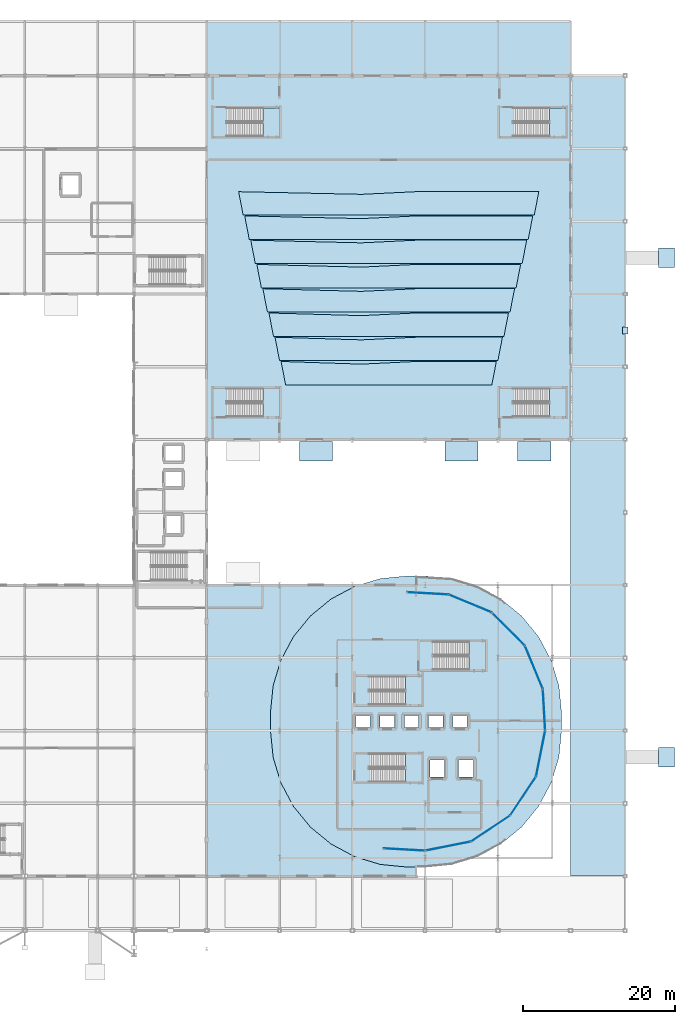
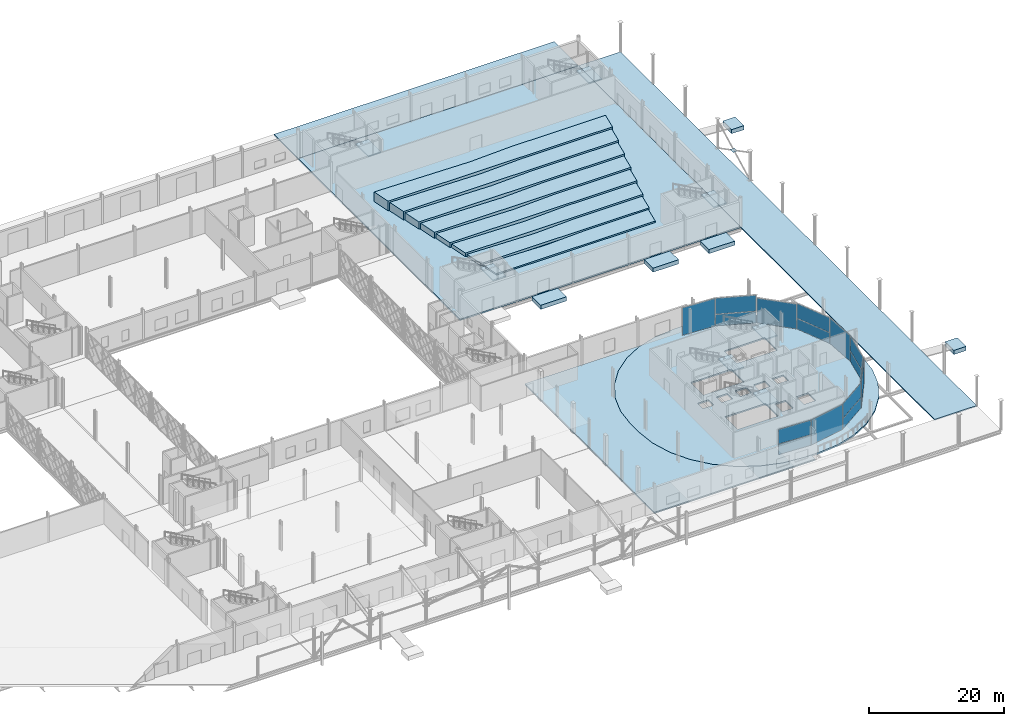
# One storey, part 47 of 84: 25 slabs, 16 plates, 17 elements without a shape of their own.
"""IFC4 building model written with IfcOpenShell, lengths in metres."""

from ifc_helpers import new_model, si_unit, direction, frame, origin, origin_2d, place, context, subcontext, project, spatial, polyline, rectangle, outline, extrude, material, layer, layer_set, type_object, element, aggregate, save


model = new_model("IFC4")

# Units and contexts
model_context = context("Model", 3, precision=1e-05, world=origin(), true_north=direction((0.0, 1.0)))
body_context = subcontext(model_context, "Body", "Model", "MODEL_VIEW")
ifc_project = project(units=[si_unit("LENGTHUNIT", "METRE"), si_unit("AREAUNIT", "SQUARE_METRE"), si_unit("VOLUMEUNIT", "CUBIC_METRE"), si_unit("PLANEANGLEUNIT", "RADIAN"), si_unit("MASSUNIT", "GRAM", prefix="KILO")], contexts=[model_context])

# Site, building, storey
site_placement = place(None, origin())
site = spatial("IfcSite", under=ifc_project, at=site_placement, CompositionType="ELEMENT")
building_placement = place(site_placement, origin())
building = spatial("IfcBuilding", under=site, at=building_placement, Name="Zevrakil Square Congress Hotel", CompositionType="ELEMENT")
storey_placement = place(building_placement, origin())
storey = spatial("IfcBuildingStorey", under=building, at=storey_placement, Name="L01", CompositionType="ELEMENT", Elevation=0.0)

# Curtain wall, plate
ifc_material_1 = material(Name="Aluminium Anodised Bronze", Category="aluminium")
ifc_layer_1 = layer(ifc_material_1, 0.179931640625)
ifc_layer_set_1 = layer_set([ifc_layer_1], Name="Aluminium Anodised Bronze")
curtain_wall_type_1 = type_object("IfcCurtainWallType", Name="CW-L01-640", PredefinedType="USERDEFINED", material=ifc_layer_set_1)
curtain_wall_1_placement = place(storey_placement, origin())
curtain_wall_1 = element("IfcCurtainWall", 1, at=curtain_wall_1_placement, inside=storey, type_object=curtain_wall_type_1, Name="L01 diamond curtain wall CW-L01-0144", ObjectType="GLAZED CURTAIN WALL", PredefinedType="USERDEFINED")
ifc_material_2 = material(Name="Acoustic Laminated Low-E Glazing", Category="glass")
ifc_layer_2 = layer(ifc_material_2, 0.031982421875)
ifc_layer_set_2 = layer_set([ifc_layer_2], Name="Acoustic Laminated Low-E Glazing")
plate_type_1 = type_object("IfcPlateType", Name="CWP-GLAZ-32", PredefinedType="CURTAIN_PANEL", material=ifc_layer_set_2)
plate_1_placement = place(storey_placement, frame((155.03662109375, 13.474365234375, 0.06005859375), z_axis=(0.0, 0.0, 1.0), x_axis=(0.831465233237, 0.555576786699, 0.0)))
plate_1 = element("IfcPlate", 2, at=plate_1_placement, type_object=plate_type_1, Name="CW-09 panel 1.1", PredefinedType="CURTAIN_PANEL", context=body_context, shape_type="SweptSolid", body=[
    extrude(rectangle(XDim=6.064453125, YDim=0.028076171875, at=origin_2d()), origin(), (0.0, 0.0, 1.0), 1.87353515625),
])

curtain_wall_2_placement = place(storey_placement, origin())
curtain_wall_2 = element("IfcCurtainWall", 3, at=curtain_wall_2_placement, inside=storey, type_object=curtain_wall_type_1, Name="L01 diamond curtain wall CW-L01-0146", ObjectType="GLAZED CURTAIN WALL", PredefinedType="USERDEFINED")
plate_2_placement = place(storey_placement, frame((161.646728515625, 23.3671875, 0.06005859375), z_axis=(0.0, 0.0, 1.0), x_axis=(0.195089860927, 0.980785372119, 0.0)))
plate_2 = element("IfcPlate", 4, at=plate_2_placement, type_object=plate_type_1, Name="CW-09 panel 1.1", PredefinedType="CURTAIN_PANEL", context=body_context, shape_type="SweptSolid", body=[
    extrude(rectangle(XDim=6.064208984375, YDim=0.028076171875, at=origin_2d()), origin(), (0.0, 0.0, 1.0), 1.91552734375),
])

curtain_wall_3_placement = place(storey_placement, origin())
curtain_wall_3 = element("IfcCurtainWall", 5, at=curtain_wall_3_placement, inside=storey, type_object=curtain_wall_type_1, Name="L01 diamond curtain wall CW-L01-0148", ObjectType="GLAZED CURTAIN WALL", PredefinedType="USERDEFINED")
plate_3_placement = place(storey_placement, frame((160.76220703125, 34.7490234375, 2.03564453125), z_axis=(0.0, 0.0, 1.0), x_axis=(-0.38267644723, 0.923882425818, 0.0)))
plate_3 = element("IfcPlate", 6, at=plate_3_placement, type_object=plate_type_1, Name="CW-09 panel 1.2", PredefinedType="CURTAIN_PANEL", context=body_context, shape_type="SweptSolid", body=[
    extrude(rectangle(XDim=6.064453125, YDim=0.028076171875, at=origin_2d()), origin(), (0.0, 0.0, 1.0), 2.679443359375),
])

curtain_wall_4_placement = place(storey_placement, origin())
curtain_wall_4 = element("IfcCurtainWall", 7, at=curtain_wall_4_placement, inside=storey, type_object=curtain_wall_type_1, Name="L01 diamond curtain wall CW-L01-0149", ObjectType="GLAZED CURTAIN WALL", PredefinedType="USERDEFINED")
plate_4_placement = place(storey_placement, frame((157.392333984375, 39.792236328125, 0.06005859375), z_axis=(0.0, 0.0, 1.0), x_axis=(-0.707106781187, 0.707106781187, 0.0)))
plate_4 = element("IfcPlate", 8, at=plate_4_placement, type_object=plate_type_1, Name="CW-09 panel 1.1", PredefinedType="CURTAIN_PANEL", context=body_context, shape_type="SweptSolid", body=[
    extrude(rectangle(XDim=6.064453125, YDim=0.028076171875, at=origin_2d()), origin(), (0.0, 0.0, 1.0), 4.5048828125),
])
aggregate(curtain_wall_4, [plate_4])

curtain_wall_5_placement = place(storey_placement, origin())
curtain_wall_5 = element("IfcCurtainWall", 9, at=curtain_wall_5_placement, inside=storey, type_object=curtain_wall_type_1, Name="L01 diamond curtain wall CW-L01-0150", ObjectType="GLAZED CURTAIN WALL", PredefinedType="USERDEFINED")
plate_5_placement = place(storey_placement, frame((152.34912109375, 43.162109375, 2.18896484375), z_axis=(0.0, 0.0, 1.0), x_axis=(-0.923882425818, 0.38267644723, 0.0)))
plate_5 = element("IfcPlate", 10, at=plate_5_placement, type_object=plate_type_1, Name="CW-09 panel 1.2", PredefinedType="CURTAIN_PANEL", context=body_context, shape_type="SweptSolid", body=[
    extrude(rectangle(XDim=6.064453125, YDim=0.028076171875, at=origin_2d()), origin(), (0.0, 0.0, 1.0), 2.89111328125),
])

ifc_material_3 = material(Name="Aluminium Anodised Bronze", Category="aluminium")
ifc_layer_3 = layer(ifc_material_3, 0.179931640625)
ifc_layer_set_3 = layer_set([ifc_layer_3], Name="Aluminium Anodised Bronze")
curtain_wall_type_2 = type_object("IfcCurtainWallType", Name="CW-L01-560", PredefinedType="USERDEFINED", material=ifc_layer_set_3)
curtain_wall_6_placement = place(storey_placement, origin())
curtain_wall_6 = element("IfcCurtainWall", 11, at=curtain_wall_6_placement, inside=storey, type_object=curtain_wall_type_2, Name="L01 diamond curtain wall CW-L01-0151", ObjectType="GLAZED CURTAIN WALL", PredefinedType="USERDEFINED")
plate_6_placement = place(storey_placement, frame((146.74609375, 44.497802734375, 0.06005859375), z_axis=(0.0, 0.0, 1.0), x_axis=(-0.998465606848, 0.055375373052, 0.0)))
plate_6 = element("IfcPlate", 12, at=plate_6_placement, type_object=plate_type_1, Name="CW-08 panel 1.1", PredefinedType="CURTAIN_PANEL", context=body_context, shape_type="SweptSolid", body=[
    extrude(rectangle(XDim=5.380615234375, YDim=0.028076171875, at=origin_2d()), origin(), (0.0, 0.0, 1.0), 5.02001953125),
])
aggregate(curtain_wall_6, [plate_6])

curtain_wall_7_placement = place(storey_placement, origin())
curtain_wall_7 = element("IfcCurtainWall", 13, at=curtain_wall_7_placement, inside=storey, type_object=curtain_wall_type_1, Name="L01 diamond curtain wall CW-L01-0143", ObjectType="GLAZED CURTAIN WALL", PredefinedType="USERDEFINED")
ifc_material_4 = material(Name="Basalt Grey Ribbed GRC Panel", Category="masonry")
ifc_layer_4 = layer(ifc_material_4, 0.0439453125)
ifc_layer_set_4 = layer_set([ifc_layer_4], Name="Basalt Grey Ribbed GRC Panel")
plate_type_2 = type_object("IfcPlateType", Name="CWP-GRCG-44", PredefinedType="CURTAIN_PANEL", material=ifc_layer_set_4)
plate_7_placement = place(storey_placement, frame((149.432861328125, 11.1533203125, 0.06005859375), z_axis=(0.0, 0.0, 1.0), x_axis=(0.980785372119, 0.195089860927, 0.0)))
plate_7 = element("IfcPlate", 14, at=plate_7_placement, type_object=plate_type_2, Name="CW-09 panel 1.1", PredefinedType="CURTAIN_PANEL", context=body_context, shape_type="SweptSolid", body=[
    extrude(rectangle(XDim=6.064208984375, YDim=0.028076171875, at=origin_2d()), origin(), (0.0, 0.0, 1.0), 4.554931640625),
])
aggregate(curtain_wall_7, [plate_7])

# Plate
plate_8_placement = place(storey_placement, frame((160.76220703125, 34.7490234375, 0.06005859375), z_axis=(0.0, 0.0, 1.0), x_axis=(-0.38267644723, 0.923882425818, 0.0)))
plate_8 = element("IfcPlate", 15, at=plate_8_placement, type_object=plate_type_2, Name="CW-09 panel 1.1", PredefinedType="CURTAIN_PANEL", context=body_context, shape_type="SweptSolid", body=[
    extrude(rectangle(XDim=6.064453125, YDim=0.028076171875, at=origin_2d()), origin(), (0.0, 0.0, 1.0), 1.91552734375),
])

aggregate(curtain_wall_3, [plate_8, plate_3])

# Curtain wall, plate
curtain_wall_8_placement = place(storey_placement, origin())
curtain_wall_8 = element("IfcCurtainWall", 16, at=curtain_wall_8_placement, inside=storey, type_object=curtain_wall_type_2, Name="L01 diamond curtain wall CW-L01-0152", ObjectType="GLAZED CURTAIN WALL", PredefinedType="USERDEFINED")
plate_9_placement = place(storey_placement, frame((143.65380859375, 10.702392578125, 1.993408203125), z_axis=(0.0, 0.0, 1.0), x_axis=(0.998465606848, -0.055375373052, 0.0)))
plate_9 = element("IfcPlate", 17, at=plate_9_placement, type_object=plate_type_2, Name="CW-08 panel 1.2", PredefinedType="CURTAIN_PANEL", context=body_context, shape_type="SweptSolid", body=[
    extrude(rectangle(XDim=5.380615234375, YDim=0.028076171875, at=origin_2d()), origin(), (0.0, 0.0, 1.0), 2.62158203125),
])

# Plate
ifc_material_5 = material(Name="White Ribbed Highland GRC Panel", Category="concrete")
ifc_layer_5 = layer(ifc_material_5, 0.0400390625)
ifc_layer_set_5 = layer_set([ifc_layer_5], Name="White Ribbed Highland GRC Panel")
plate_type_3 = type_object("IfcPlateType", Name="CWP-GRCW-40", PredefinedType="CURTAIN_PANEL", material=ifc_layer_set_5)
plate_10_placement = place(storey_placement, frame((155.03662109375, 13.474365234375, 1.993408203125), z_axis=(0.0, 0.0, 1.0), x_axis=(0.831465233237, 0.555576786699, 0.0)))
plate_10 = element("IfcPlate", 18, at=plate_10_placement, type_object=plate_type_3, Name="CW-09 panel 1.2", PredefinedType="CURTAIN_PANEL", context=body_context, shape_type="SweptSolid", body=[
    extrude(rectangle(XDim=6.064453125, YDim=0.028076171875, at=origin_2d()), origin(), (0.0, 0.0, 1.0), 2.62158203125),
])

aggregate(curtain_wall_1, [plate_1, plate_10])

# Curtain wall, plate
curtain_wall_9_placement = place(storey_placement, origin())
curtain_wall_9 = element("IfcCurtainWall", 19, at=curtain_wall_9_placement, inside=storey, type_object=curtain_wall_type_1, Name="L01 diamond curtain wall CW-L01-0145", ObjectType="GLAZED CURTAIN WALL", PredefinedType="USERDEFINED")
plate_11_placement = place(storey_placement, frame((159.325439453125, 17.763427734375, 0.06005859375), z_axis=(0.0, 0.0, 1.0), x_axis=(0.555576786699, 0.831465233237, 0.0)))
plate_11 = element("IfcPlate", 20, at=plate_11_placement, type_object=plate_type_3, Name="CW-09 panel 1.1", PredefinedType="CURTAIN_PANEL", context=body_context, shape_type="SweptSolid", body=[
    extrude(rectangle(XDim=6.064453125, YDim=0.028076171875, at=origin_2d()), origin(), (0.0, 0.0, 1.0), 4.655029296875),
])
aggregate(curtain_wall_9, [plate_11])

# Plate
plate_12_placement = place(storey_placement, frame((161.646728515625, 23.3671875, 2.03564453125), z_axis=(0.0, 0.0, 1.0), x_axis=(0.195089860927, 0.980785372119, 0.0)))
plate_12 = element("IfcPlate", 21, at=plate_12_placement, type_object=plate_type_3, Name="CW-09 panel 1.2", PredefinedType="CURTAIN_PANEL", context=body_context, shape_type="SweptSolid", body=[
    extrude(rectangle(XDim=6.064208984375, YDim=0.028076171875, at=origin_2d()), origin(), (0.0, 0.0, 1.0), 2.679443359375),
])

aggregate(curtain_wall_2, [plate_2, plate_12])

# Curtain wall, plate
curtain_wall_10_placement = place(storey_placement, origin())
curtain_wall_10 = element("IfcCurtainWall", 22, at=curtain_wall_10_placement, inside=storey, type_object=curtain_wall_type_2, Name="L01 diamond curtain wall CW-L01-0147", ObjectType="GLAZED CURTAIN WALL", PredefinedType="USERDEFINED")
plate_13_placement = place(storey_placement, frame((162.09765625, 29.14599609375, 0.06005859375), z_axis=(0.0, 0.0, 1.0), x_axis=(-0.055375373052, 0.998465606848, 0.0)))
plate_13 = element("IfcPlate", 23, at=plate_13_placement, type_object=plate_type_3, Name="CW-08 panel 1.1", PredefinedType="CURTAIN_PANEL", context=body_context, shape_type="SweptSolid", body=[
    extrude(rectangle(XDim=5.380615234375, YDim=0.028076171875, at=origin_2d()), origin(), (0.0, 0.0, 1.0), 4.655029296875),
])
aggregate(curtain_wall_10, [plate_13])

# Plate
plate_14_placement = place(storey_placement, frame((152.34912109375, 43.162109375, 0.06005859375), z_axis=(0.0, 0.0, 1.0), x_axis=(-0.923882425818, 0.38267644723, 0.0)))
plate_14 = element("IfcPlate", 24, at=plate_14_placement, type_object=plate_type_3, Name="CW-09 panel 1.1", PredefinedType="CURTAIN_PANEL", context=body_context, shape_type="SweptSolid", body=[
    extrude(rectangle(XDim=6.064453125, YDim=0.028076171875, at=origin_2d()), origin(), (0.0, 0.0, 1.0), 2.06884765625),
])

aggregate(curtain_wall_5, [plate_14, plate_5])

plate_15_placement = place(storey_placement, frame((143.65380859375, 10.702392578125, 0.06005859375), z_axis=(0.0, 0.0, 1.0), x_axis=(0.998465606848, -0.055375373052, 0.0)))
plate_15 = element("IfcPlate", 25, at=plate_15_placement, type_object=plate_type_3, Name="CW-08 panel 1.1", PredefinedType="CURTAIN_PANEL", context=body_context, shape_type="SweptSolid", body=[
    extrude(rectangle(XDim=5.380615234375, YDim=0.028076171875, at=origin_2d()), origin(), (0.0, 0.0, 1.0), 1.87353515625),
])

aggregate(curtain_wall_8, [plate_15, plate_9])

ifc_material_6 = material(Name="Steel S355", Category="steel")
ifc_layer_6 = layer(ifc_material_6, 0.031982421875)
ifc_layer_set_6 = layer_set([ifc_layer_6], Name="Steel S355")
plate_type_4 = type_object("IfcPlateType", Name="PLT-GUSSET-900", PredefinedType="SHEET", material=ifc_layer_set_6)
plate_16_placement = place(storey_placement, frame((172.800048828125, 79.199951171875, 2.5341796875), z_axis=(0.0, 0.0, 1.0), x_axis=(0.0, 1.0, 0.0)))
element("IfcPlate", 26, at=plate_16_placement, inside=storey, type_object=plate_type_4, Name="East colonnade X-brace crossing slotted gusset plate GP-E01", PredefinedType="SHEET", context=body_context, shape_type="SweptSolid", body=[
    extrude(rectangle(XDim=0.89990234375, YDim=0.699951171875, at=origin_2d()), origin(), (0.0, 0.0, 1.0), 0.031982421875),
])

# Slabs
ifc_material_7 = material(Name="Concrete C35/45", Category="concrete")
ifc_layer_7 = layer(ifc_material_7, 0.75)
ifc_layer_set_7 = layer_set([ifc_layer_7], Name="Concrete C35/45")
slab_type_1 = type_object("IfcSlabType", Name="SLB-APRON-750", PredefinedType="BASESLAB", material=ifc_layer_set_7)
slab_1_placement = place(storey_placement, frame((0.0, 0.0, -0.75)))
element("IfcSlab", 27, at=slab_1_placement, inside=storey, type_object=slab_type_1, Name="L01 exterior exit landing apron EX-ST09", PredefinedType="BASESLAB", context=body_context, shape_type="SweptSolid", body=[
    extrude(outline(polyline([(158.60009765625, 61.949951171875), (163.0, 61.949951171875), (163.0, 64.550048828125), (158.60009765625, 64.550048828125), (158.60009765625, 61.949951171875)])), origin(), (0.0, 0.0, 1.0), 0.75),
])
slab_2_placement = place(storey_placement, frame((0.0, 0.0, -0.75)))
element("IfcSlab", 28, at=slab_2_placement, inside=storey, type_object=slab_type_1, Name="L01 exterior exit landing apron EX-CS01", PredefinedType="BASESLAB", context=body_context, shape_type="SweptSolid", body=[
    extrude(outline(polyline([(129.800048828125, 61.949951171875), (134.199951171875, 61.949951171875), (134.199951171875, 64.550048828125), (129.800048828125, 64.550048828125), (129.800048828125, 61.949951171875)])), origin(), (0.0, 0.0, 1.0), 0.75),
])
slab_3_placement = place(storey_placement, frame((0.0, 0.0, -0.75)))
element("IfcSlab", 29, at=slab_3_placement, inside=storey, type_object=slab_type_1, Name="L01 exterior exit landing apron EX-CS02", PredefinedType="BASESLAB", context=body_context, shape_type="SweptSolid", body=[
    extrude(outline(polyline([(149.0, 61.949951171875), (153.39990234375, 61.949951171875), (153.39990234375, 64.550048828125), (149.0, 64.550048828125), (149.0, 61.949951171875)])), origin(), (0.0, 0.0, 1.0), 0.75),
])
slab_4_placement = place(storey_placement, frame((0.0, 0.0, -1.050048828125)))
element("IfcSlab", 30, at=slab_4_placement, inside=storey, type_object=slab_type_1, Name="Accessible ramp lower landing apron PR-04", PredefinedType="BASESLAB", context=body_context, shape_type="SweptSolid", body=[
    extrude(outline(polyline([(177.199951171875, 21.60009765625), (179.300048828125, 21.60009765625), (179.300048828125, 24.199951171875), (177.199951171875, 24.199951171875), (177.199951171875, 21.60009765625)])), origin(), (0.0, 0.0, 1.0), 0.75),
])
slab_5_placement = place(storey_placement, frame((0.0, 0.0, -1.050048828125)))
element("IfcSlab", 31, at=slab_5_placement, inside=storey, type_object=slab_type_1, Name="Accessible ramp lower landing apron PR-05", PredefinedType="BASESLAB", context=body_context, shape_type="SweptSolid", body=[
    extrude(outline(polyline([(177.199951171875, 87.5), (179.300048828125, 87.5), (179.300048828125, 90.10009765625), (177.199951171875, 90.10009765625), (177.199951171875, 87.5)])), origin(), (0.0, 0.0, 1.0), 0.75),
])
ifc_material_8 = material(Name="Concrete C35/45", Category="concrete")
ifc_layer_8 = layer(ifc_material_8, 0.18994140625)
ifc_layer_set_8 = layer_set([ifc_layer_8], Name="Concrete C35/45")
slab_type_2 = type_object("IfcSlabType", Name="SLB-COL-190", PredefinedType="FLOOR", material=ifc_layer_set_8)
slab_6_placement = place(storey_placement, frame((0.0, 0.0, -0.18994140625)))
element("IfcSlab", 32, at=slab_6_placement, inside=storey, type_object=slab_type_2, Name="L01 exterior colonnade deck COL-E", PredefinedType="FLOOR", context=body_context, shape_type="SweptSolid", body=[
    extrude(outline(polyline([(165.60009765625, 112.800048828125), (172.800048828125, 112.800048828125), (172.800048828125, 7.199951171875), (165.60009765625, 7.199951171875), (165.60009765625, 112.800048828125)])), origin(), (0.0, 0.0, 1.0), 0.18994140625),
])
slab_7_placement = place(storey_placement, frame((0.0, 0.0, -0.18994140625)))
element("IfcSlab", 33, at=slab_7_placement, inside=storey, type_object=slab_type_2, Name="L01 exterior colonnade deck APRON-N (E joint block)", PredefinedType="FLOOR", context=body_context, shape_type="SweptSolid", body=[
    extrude(outline(polyline([(165.60009765625, 120.0), (165.60009765625, 112.800048828125), (117.625, 112.800048828125), (117.625, 120.0), (165.60009765625, 120.0)])), origin(), (0.0, 0.0, 1.0), 0.18994140625),
])
ifc_material_9 = material(Name="Concrete C35/45", Category="concrete")
ifc_layer_9 = layer(ifc_material_9, 0.264892578125)
ifc_layer_set_9 = layer_set([ifc_layer_9], Name="Concrete C35/45")
slab_type_3 = type_object("IfcSlabType", Name="SLB-L01-220", PredefinedType="FLOOR", material=ifc_layer_set_9)
slab_8_placement = place(storey_placement, frame((0.0, 0.0, -0.264892578125)))
element("IfcSlab", 34, at=slab_8_placement, inside=storey, type_object=slab_type_3, Name="L01 south structural floor slab (E joint block)", PredefinedType="FLOOR", context=body_context, shape_type="SweptSolid", body=[
    extrude(outline(polyline([(117.625, 7.199951171875), (117.625, 45.60009765625), (137.6728515625, 45.60009765625), (137.11181640625, 45.4296875), (133.999755859375, 43.7666015625), (131.272216796875, 41.52783203125), (129.033447265625, 38.80029296875), (127.3701171875, 35.688232421875), (126.345947265625, 32.3115234375), (126.0, 28.800048828125), (126.0, 26.39990234375), (126.345947265625, 22.888427734375), (127.3701171875, 19.51171875), (129.033447265625, 16.399658203125), (131.272216796875, 13.672119140625), (133.999755859375, 11.43359375), (137.11181640625, 9.770263671875), (140.48828125, 8.745849609375), (144.0, 8.39990234375), (145.199951171875, 8.39990234375), (145.199951171875, 7.199951171875), (117.625, 7.199951171875)])), origin(), (0.0, 0.0, 1.0), 0.264892578125),
])
slab_9_placement = place(storey_placement, frame((0.0, 0.0, -0.264892578125)))
element("IfcSlab", 35, at=slab_9_placement, inside=storey, type_object=slab_type_3, Name="L01 congress structural floor slab", PredefinedType="FLOOR", context=body_context, shape_type="SweptSolid", body=[
    extrude(outline(polyline([(165.60009765625, 112.800048828125), (165.60009765625, 64.800048828125), (117.625, 64.800048828125), (117.625, 112.800048828125), (165.60009765625, 112.800048828125)])), origin(), (0.0, 0.0, 1.0), 0.264892578125),
])
slab_10_placement = place(storey_placement, frame((0.0, 0.0, -0.264892578125)))
element("IfcSlab", 36, at=slab_10_placement, inside=storey, type_object=slab_type_3, Name="L01 hotel drum reception slab", PredefinedType="FLOOR", context=body_context, shape_type="SweptSolid", body=[
    extrude(outline(polyline([(146.39990234375, 8.39990234375), (149.91162109375, 8.745849609375), (153.288330078125, 9.770263671875), (156.400390625, 11.43359375), (159.1279296875, 13.672119140625), (161.366455078125, 16.399658203125), (163.02978515625, 19.51171875), (164.05419921875, 22.888427734375), (164.39990234375, 26.39990234375), (164.39990234375, 28.800048828125), (164.05419921875, 32.3115234375), (163.02978515625, 35.688232421875), (161.366455078125, 38.80029296875), (159.1279296875, 41.52783203125), (156.400390625, 43.7666015625), (153.288330078125, 45.4296875), (149.91162109375, 46.4541015625), (146.39990234375, 46.800048828125), (144.0, 46.800048828125), (140.48828125, 46.4541015625), (137.11181640625, 45.4296875), (133.999755859375, 43.7666015625), (131.272216796875, 41.52783203125), (129.033447265625, 38.80029296875), (127.3701171875, 35.688232421875), (126.345947265625, 32.3115234375), (126.0, 28.800048828125), (126.0, 26.39990234375), (126.345947265625, 22.888427734375), (127.3701171875, 19.51171875), (129.033447265625, 16.399658203125), (131.272216796875, 13.672119140625), (133.999755859375, 11.43359375), (137.11181640625, 9.770263671875), (140.48828125, 8.745849609375), (144.0, 8.39990234375), (146.39990234375, 8.39990234375)]), holes=[polyline([(139.044921875, 19.60009765625), (146.0, 19.60009765625), (146.0, 23.35009765625), (139.044921875, 23.35009765625), (139.044921875, 19.60009765625)]), polyline([(139.044921875, 29.800048828125), (146.0, 29.800048828125), (146.0, 33.550048828125), (139.044921875, 33.550048828125), (139.044921875, 29.800048828125)]), polyline([(147.445068359375, 34.39990234375), (154.39990234375, 34.39990234375), (154.39990234375, 38.14990234375), (147.445068359375, 38.14990234375), (147.445068359375, 34.39990234375)]), polyline([(137.260009765625, 26.81005859375), (139.139892578125, 26.81005859375), (139.139892578125, 28.389892578125), (137.260009765625, 28.389892578125), (137.260009765625, 26.81005859375)]), polyline([(140.4599609375, 26.81005859375), (142.340087890625, 26.81005859375), (142.340087890625, 28.389892578125), (140.4599609375, 28.389892578125), (140.4599609375, 26.81005859375)]), polyline([(143.659912109375, 26.81005859375), (145.5400390625, 26.81005859375), (145.5400390625, 28.389892578125), (143.659912109375, 28.389892578125), (143.659912109375, 26.81005859375)]), polyline([(146.860107421875, 26.81005859375), (148.739990234375, 26.81005859375), (148.739990234375, 28.389892578125), (146.860107421875, 28.389892578125), (146.860107421875, 26.81005859375)]), polyline([(150.06005859375, 26.81005859375), (151.93994140625, 26.81005859375), (151.93994140625, 28.389892578125), (150.06005859375, 28.389892578125), (150.06005859375, 26.81005859375)]), polyline([(147.06005859375, 20.260009765625), (148.93994140625, 20.260009765625), (148.93994140625, 22.5400390625), (147.06005859375, 22.5400390625), (147.06005859375, 20.260009765625)]), polyline([(150.81005859375, 20.260009765625), (152.7900390625, 20.260009765625), (152.7900390625, 22.5400390625), (150.81005859375, 22.5400390625), (150.81005859375, 20.260009765625)])]), origin(), (0.0, 0.0, 1.0), 0.264892578125),
])

# Stair, slab
ifc_material_10 = material(Name="Concrete C35/45", Category="concrete")
stair_type = type_object("IfcStairType", Name="STR-DOGLEG-180", PredefinedType="HALF_TURN_STAIR", material=ifc_material_10)
stair_1_placement = place(storey_placement, origin())
stair_1 = element("IfcStair", 37, at=stair_1_placement, inside=storey, type_object=stair_type, Name="L01 Protected exit stair ST01", PredefinedType="HALF_TURN_STAIR")
ifc_material_11 = material(Name="Concrete C35/45", Category="concrete")
ifc_layer_10 = layer(ifc_material_11, 0.199951171875)
ifc_layer_set_10 = layer_set([ifc_layer_10], Name="Concrete C35/45")
slab_type_4 = type_object("IfcSlabType", Name="SLB-STAIR-LAND-200", PredefinedType="LANDING", material=ifc_layer_set_10)
slab_11_placement = place(storey_placement, frame((0.0, 0.0, 2.5)))
slab_11 = element("IfcSlab", 38, at=slab_11_placement, type_object=slab_type_4, Name="ST01 landing 1", PredefinedType="LANDING", context=body_context, shape_type="SweptSolid", body=[
    extrude(outline(polyline([(143.800048828125, 19.60009765625), (146.0, 19.60009765625), (146.0, 23.35009765625), (143.800048828125, 23.35009765625), (143.800048828125, 19.60009765625)])), origin(), (0.0, 0.0, 1.0), 0.199951171875),
])
aggregate(stair_1, [slab_11])

stair_2_placement = place(storey_placement, origin())
stair_2 = element("IfcStair", 39, at=stair_2_placement, inside=storey, type_object=stair_type, Name="L01 Protected exit stair ST02", PredefinedType="HALF_TURN_STAIR")
slab_12_placement = place(storey_placement, frame((0.0, 0.0, 2.5)))
slab_12 = element("IfcSlab", 40, at=slab_12_placement, type_object=slab_type_4, Name="ST02 landing 1", PredefinedType="LANDING", context=body_context, shape_type="SweptSolid", body=[
    extrude(outline(polyline([(143.800048828125, 29.800048828125), (146.0, 29.800048828125), (146.0, 33.550048828125), (143.800048828125, 33.550048828125), (143.800048828125, 29.800048828125)])), origin(), (0.0, 0.0, 1.0), 0.199951171875),
])
aggregate(stair_2, [slab_12])

stair_3_placement = place(storey_placement, origin())
stair_3 = element("IfcStair", 41, at=stair_3_placement, inside=storey, type_object=stair_type, Name="L01 Protected exit stair ST03", PredefinedType="HALF_TURN_STAIR")
slab_13_placement = place(storey_placement, frame((0.0, 0.0, 2.5)))
slab_13 = element("IfcSlab", 42, at=slab_13_placement, type_object=slab_type_4, Name="ST03 landing 1", PredefinedType="LANDING", context=body_context, shape_type="SweptSolid", body=[
    extrude(outline(polyline([(152.199951171875, 34.39990234375), (154.39990234375, 34.39990234375), (154.39990234375, 38.14990234375), (152.199951171875, 38.14990234375), (152.199951171875, 34.39990234375)])), origin(), (0.0, 0.0, 1.0), 0.199951171875),
])
aggregate(stair_3, [slab_13])

stair_4_placement = place(storey_placement, origin())
stair_4 = element("IfcStair", 43, at=stair_4_placement, inside=storey, type_object=stair_type, Name="L01 Protected exit stair ST08", PredefinedType="HALF_TURN_STAIR")
slab_14_placement = place(storey_placement, frame((0.0, 0.0, 2.5)))
slab_14 = element("IfcSlab", 44, at=slab_14_placement, type_object=slab_type_4, Name="ST08 landing 1", PredefinedType="LANDING", context=body_context, shape_type="SweptSolid", body=[
    extrude(outline(polyline([(125.0, 67.800048828125), (127.199951171875, 67.800048828125), (127.199951171875, 71.550048828125), (125.0, 71.550048828125), (125.0, 67.800048828125)])), origin(), (0.0, 0.0, 1.0), 0.199951171875),
])
aggregate(stair_4, [slab_14])

stair_5_placement = place(storey_placement, origin())
stair_5 = element("IfcStair", 45, at=stair_5_placement, inside=storey, type_object=stair_type, Name="L01 Protected exit stair ST09", PredefinedType="HALF_TURN_STAIR")
slab_15_placement = place(storey_placement, frame((0.0, 0.0, 2.5)))
slab_15 = element("IfcSlab", 46, at=slab_15_placement, type_object=slab_type_4, Name="ST09 landing 1", PredefinedType="LANDING", context=body_context, shape_type="SweptSolid", body=[
    extrude(outline(polyline([(162.800048828125, 67.800048828125), (165.0, 67.800048828125), (165.0, 71.550048828125), (162.800048828125, 71.550048828125), (162.800048828125, 67.800048828125)])), origin(), (0.0, 0.0, 1.0), 0.199951171875),
])
aggregate(stair_5, [slab_15])

stair_6_placement = place(storey_placement, origin())
stair_6 = element("IfcStair", 47, at=stair_6_placement, inside=storey, type_object=stair_type, Name="L01 Protected exit stair ST10", PredefinedType="HALF_TURN_STAIR")
slab_16_placement = place(storey_placement, frame((0.0, 0.0, 2.5)))
slab_16 = element("IfcSlab", 48, at=slab_16_placement, type_object=slab_type_4, Name="ST10 landing 1", PredefinedType="LANDING", context=body_context, shape_type="SweptSolid", body=[
    extrude(outline(polyline([(162.800048828125, 104.800048828125), (165.0, 104.800048828125), (165.0, 108.550048828125), (162.800048828125, 108.550048828125), (162.800048828125, 104.800048828125)])), origin(), (0.0, 0.0, 1.0), 0.199951171875),
])
aggregate(stair_6, [slab_16])

stair_7_placement = place(storey_placement, origin())
stair_7 = element("IfcStair", 49, at=stair_7_placement, inside=storey, type_object=stair_type, Name="L01 Protected exit stair ST11", PredefinedType="HALF_TURN_STAIR")
slab_17_placement = place(storey_placement, frame((0.0, 0.0, 2.5)))
slab_17 = element("IfcSlab", 50, at=slab_17_placement, type_object=slab_type_4, Name="ST11 landing 1", PredefinedType="LANDING", context=body_context, shape_type="SweptSolid", body=[
    extrude(outline(polyline([(125.0, 104.800048828125), (127.199951171875, 104.800048828125), (127.199951171875, 108.550048828125), (125.0, 108.550048828125), (125.0, 104.800048828125)])), origin(), (0.0, 0.0, 1.0), 0.199951171875),
])
aggregate(stair_7, [slab_17])

# Slabs
ifc_material_12 = material(Name="Concrete C35/45", Category="concrete")
ifc_layer_11 = layer(ifc_material_12, 0.2099609375)
ifc_layer_set_11 = layer_set([ifc_layer_11], Name="Concrete C35/45")
slab_type_5 = type_object("IfcSlabType", Name="SLB-TIER-210", PredefinedType="USERDEFINED", material=ifc_layer_set_11)
slab_18_placement = place(storey_placement, origin())
element("IfcSlab", 51, at=slab_18_placement, inside=storey, type_object=slab_type_5, Name="L01 congress hall stalls seating tier 1", ObjectType="SEATING TIER", PredefinedType="USERDEFINED", context=body_context, shape_type="SweptSolid", body=[
    extrude(outline(polyline([(128.0, 72.0), (155.199951171875, 72.0), (155.800048828125, 75.10009765625), (145.199951171875, 75.10009765625), (138.0, 74.75), (127.39990234375, 75.10009765625), (128.0, 72.0)])), origin(), (0.0, 0.0, 1.0), 0.260009765625),
])
slab_19_placement = place(storey_placement, origin())
element("IfcSlab", 52, at=slab_19_placement, inside=storey, type_object=slab_type_5, Name="L01 congress hall stalls seating tier 2", ObjectType="SEATING TIER", PredefinedType="USERDEFINED", context=body_context, shape_type="SweptSolid", body=[
    extrude(outline(polyline([(127.199951171875, 75.199951171875), (156.0, 75.199951171875), (156.60009765625, 78.300048828125), (145.199951171875, 78.300048828125), (138.0, 77.949951171875), (126.60009765625, 78.300048828125), (127.199951171875, 75.199951171875)])), origin(), (0.0, 0.0, 1.0), 0.43994140625),
])
slab_20_placement = place(storey_placement, origin())
element("IfcSlab", 53, at=slab_20_placement, inside=storey, type_object=slab_type_5, Name="L01 congress hall stalls seating tier 3", ObjectType="SEATING TIER", PredefinedType="USERDEFINED", context=body_context, shape_type="SweptSolid", body=[
    extrude(outline(polyline([(126.39990234375, 78.39990234375), (156.800048828125, 78.39990234375), (157.39990234375, 81.5), (145.199951171875, 81.5), (138.0, 81.14990234375), (125.800048828125, 81.5), (126.39990234375, 78.39990234375)])), origin(), (0.0, 0.0, 1.0), 0.659912109375),
])
slab_21_placement = place(storey_placement, origin())
element("IfcSlab", 54, at=slab_21_placement, inside=storey, type_object=slab_type_5, Name="L01 congress hall stalls seating tier 4", ObjectType="SEATING TIER", PredefinedType="USERDEFINED", context=body_context, shape_type="SweptSolid", body=[
    extrude(outline(polyline([(125.60009765625, 81.60009765625), (157.60009765625, 81.60009765625), (158.199951171875, 84.699951171875), (145.199951171875, 84.699951171875), (138.0, 84.35009765625), (125.0, 84.699951171875), (125.60009765625, 81.60009765625)])), origin(), (0.0, 0.0, 1.0), 0.8798828125),
])
slab_22_placement = place(storey_placement, origin())
element("IfcSlab", 55, at=slab_22_placement, inside=storey, type_object=slab_type_5, Name="L01 congress hall stalls seating tier 5", ObjectType="SEATING TIER", PredefinedType="USERDEFINED", context=body_context, shape_type="SweptSolid", body=[
    extrude(outline(polyline([(124.800048828125, 84.800048828125), (158.39990234375, 84.800048828125), (159.0, 87.89990234375), (145.199951171875, 87.89990234375), (138.0, 87.550048828125), (124.199951171875, 87.89990234375), (124.800048828125, 84.800048828125)])), origin(), (0.0, 0.0, 1.0), 1.10009765625),
])
slab_23_placement = place(storey_placement, origin())
element("IfcSlab", 56, at=slab_23_placement, inside=storey, type_object=slab_type_5, Name="L01 congress hall stalls seating tier 6", ObjectType="SEATING TIER", PredefinedType="USERDEFINED", context=body_context, shape_type="SweptSolid", body=[
    extrude(outline(polyline([(124.0, 88.0), (159.199951171875, 88.0), (159.800048828125, 91.10009765625), (145.199951171875, 91.10009765625), (138.0, 90.75), (123.39990234375, 91.10009765625), (124.0, 88.0)])), origin(), (0.0, 0.0, 1.0), 1.320068359375),
])
slab_24_placement = place(storey_placement, origin())
element("IfcSlab", 57, at=slab_24_placement, inside=storey, type_object=slab_type_5, Name="L01 congress hall stalls seating tier 7", ObjectType="SEATING TIER", PredefinedType="USERDEFINED", context=body_context, shape_type="SweptSolid", body=[
    extrude(outline(polyline([(123.199951171875, 91.199951171875), (160.0, 91.199951171875), (160.60009765625, 94.300048828125), (145.199951171875, 94.300048828125), (138.0, 93.949951171875), (122.60009765625, 94.300048828125), (123.199951171875, 91.199951171875)])), origin(), (0.0, 0.0, 1.0), 1.5400390625),
])
slab_25_placement = place(storey_placement, origin())
element("IfcSlab", 58, at=slab_25_placement, inside=storey, type_object=slab_type_5, Name="L01 congress hall stalls seating tier 8", ObjectType="SEATING TIER", PredefinedType="USERDEFINED", context=body_context, shape_type="SweptSolid", body=[
    extrude(outline(polyline([(122.39990234375, 94.39990234375), (160.800048828125, 94.39990234375), (161.39990234375, 97.5), (145.199951171875, 97.5), (138.0, 97.14990234375), (121.800048828125, 97.5), (122.39990234375, 94.39990234375)])), origin(), (0.0, 0.0, 1.0), 1.760009765625),
])

save(model, "model.ifc")
